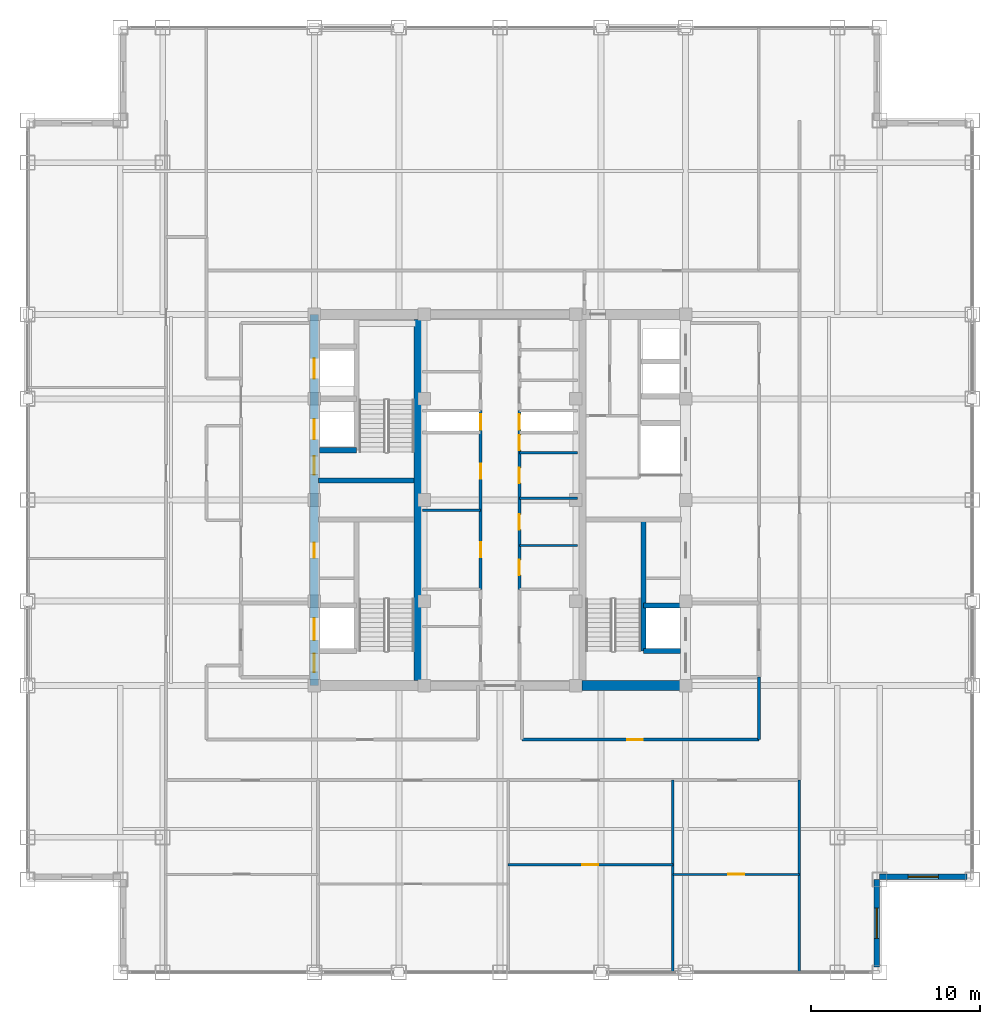
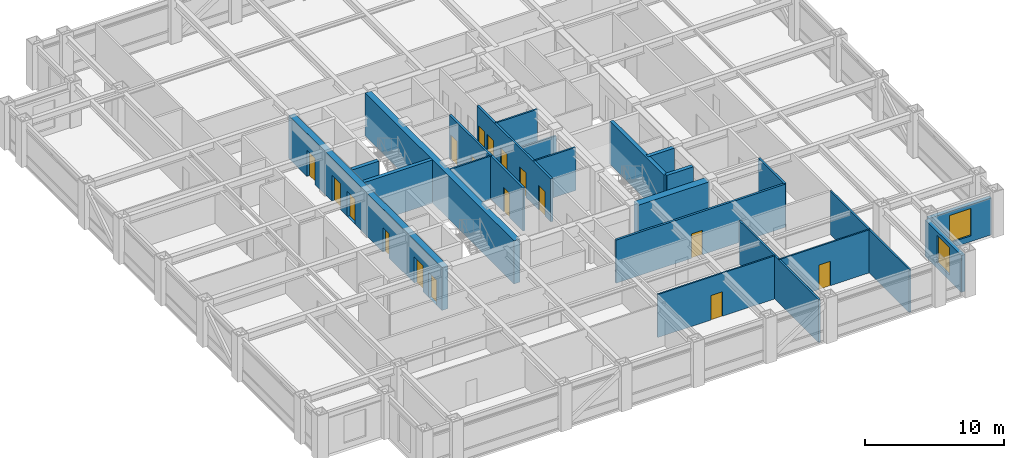
# One storey, part 19 of 22: 22 walls, 17 doors, 2 windows, 19 openings.
"""IFC4 building model written with IfcOpenShell, lengths in metres."""

from ifc_helpers import new_model, si_unit, direction, frame, frame_2d, origin, place, context, subcontext, project, spatial, rectangle, extrude, source, transform, mapped, material, layer, layer_set, type_object, element, fill, save


model = new_model("IFC4")

# Units and contexts
model_context = context("Model", 3, precision=1e-05, world=origin(), true_north=direction((0.0, 1.0)))
body_context = subcontext(model_context, "Body", "Model", "MODEL_VIEW")
ifc_project = project(units=[si_unit("LENGTHUNIT", "METRE"), si_unit("AREAUNIT", "SQUARE_METRE"), si_unit("VOLUMEUNIT", "CUBIC_METRE"), si_unit("PLANEANGLEUNIT", "RADIAN"), si_unit("MASSUNIT", "GRAM", prefix="KILO")], contexts=[model_context])

# Site, building, storey
site_placement = place(None, origin())
site = spatial("IfcSite", under=ifc_project, at=site_placement, CompositionType="ELEMENT")
building_placement = place(site_placement, origin())
building = spatial("IfcBuilding", under=site, at=building_placement, Name="Khorayat Bourse Tower", CompositionType="ELEMENT")
storey_placement = place(building_placement, frame((0.0, 0.0, 289.5)))
storey = spatial("IfcBuildingStorey", under=building, at=storey_placement, Name="L68", CompositionType="ELEMENT", Elevation=289.5)

# Wall, openings, doors
ifc_material_1 = material(Name="Concrete C52/65", Category="concrete")
ifc_layer_1 = layer(ifc_material_1, 0.5)
ifc_layer_set_1 = layer_set([ifc_layer_1], Name="Concrete C52/65")
wall_type_1 = type_object("IfcWallType", Name="WAL-CORE-500", PredefinedType="SHEAR", material=ifc_layer_set_1)
shared_shape_1 = source(origin(), body_context, "Body", "SweptSolid", [
    extrude(rectangle(XDim=22.0, YDim=0.5, at=frame_2d((11.0, 0.0))), origin(), (0.0, 0.0, 1.0), 3.780029296875),
])
wall_1_placement = place(storey_placement, frame((-11.0, -11.0, 0.0), z_axis=(0.0, 0.0, 1.0), x_axis=(0.0, 1.0, 0.0)))
wall_1 = element("IfcWall", 1, at=wall_1_placement, inside=storey, type_object=wall_type_1, Name="L68 Core Shear Wall CORE-W", PredefinedType="SHEAR", context=body_context, shape_type="MappedRepresentation", body=[
    mapped(shared_shape_1, transform((0.0, 0.0, 0.0), scale=1.0)),
])
shared_shape_2 = source(origin(), body_context, "Body", "SweptSolid", [
    extrude(rectangle(XDim=1.10009765625, YDim=2.199951171875, at=frame_2d((0.550048828125, 1.10009765625))), frame((0.0, 0.260009765625, 0.0), z_axis=(0.0, -1.0, 0.0), x_axis=(1.0, 0.0, 0.0)), (0.0, 0.0, 1.0), 0.52001953125),
])
opening_1_placement = place(wall_1_placement, frame((0.800048828125, 0.0, 0.0)))
opening_1 = element("IfcOpeningElement", 2, at=opening_1_placement, cuts=wall_1, Name="Opening DI-01", PredefinedType="OPENING", context=body_context, shape_type="MappedRepresentation", body=[
    mapped(shared_shape_2, transform((0.0, 0.0, 0.0), scale=1.0)),
])
opening_2_placement = place(wall_1_placement, frame((12.5, 0.0, 0.0)))
opening_2 = element("IfcOpeningElement", 3, at=opening_2_placement, cuts=wall_1, Name="Opening DI-01", PredefinedType="OPENING", context=body_context, shape_type="MappedRepresentation", body=[
    mapped(shared_shape_2, transform((0.0, 0.0, 0.0), scale=1.0)),
])
shared_shape_3 = source(origin(), body_context, "Body", "SweptSolid", [
    extrude(rectangle(XDim=0.89990234375, YDim=2.14990234375, at=frame_2d((0.449951171875, 1.074951171875))), frame((0.0, 0.260009765625, 0.0), z_axis=(0.0, -1.0, 0.0), x_axis=(1.0, 0.0, 0.0)), (0.0, 0.0, 1.0), 0.52001953125),
])
opening_3_placement = place(wall_1_placement, frame((7.574951171875, 0.0, 0.0)))
opening_3 = element("IfcOpeningElement", 4, at=opening_3_placement, cuts=wall_1, Name="Opening DI-06", PredefinedType="OPENING", context=body_context, shape_type="MappedRepresentation", body=[
    mapped(shared_shape_3, transform((0.0, 0.0, 0.0), scale=1.0)),
])
shared_shape_4 = source(origin(), body_context, "Body", "SweptSolid", [
    extrude(rectangle(XDim=1.199951171875, YDim=2.300048828125, at=frame_2d((0.60009765625, 1.14990234375))), frame((0.0, 0.260009765625, 0.0), z_axis=(0.0, -1.0, 0.0), x_axis=(1.0, 0.0, 0.0)), (0.0, 0.0, 1.0), 0.52001953125),
])
opening_4_placement = place(wall_1_placement, frame((14.60009765625, 0.0, 0.0)))
opening_4 = element("IfcOpeningElement", 5, at=opening_4_placement, cuts=wall_1, Name="Opening LD-01", PredefinedType="OPENING", context=body_context, shape_type="MappedRepresentation", body=[
    mapped(shared_shape_4, transform((0.0, 0.0, 0.0), scale=1.0)),
])
opening_5_placement = place(wall_1_placement, frame((18.199951171875, 0.0, 0.0)))
opening_5 = element("IfcOpeningElement", 6, at=opening_5_placement, cuts=wall_1, Name="Opening LD-01", PredefinedType="OPENING", context=body_context, shape_type="MappedRepresentation", body=[
    mapped(shared_shape_4, transform((0.0, 0.0, 0.0), scale=1.0)),
])
shared_shape_5 = source(origin(), body_context, "Body", "SweptSolid", [
    extrude(rectangle(XDim=1.300048828125, YDim=2.300048828125, at=frame_2d((0.64990234375, 1.14990234375))), frame((0.0, 0.260009765625, 0.0), z_axis=(0.0, -1.0, 0.0), x_axis=(1.0, 0.0, 0.0)), (0.0, 0.0, 1.0), 0.52001953125),
])
opening_6_placement = place(wall_1_placement, frame((2.699951171875, 0.0, 0.0)))
opening_6 = element("IfcOpeningElement", 7, at=opening_6_placement, cuts=wall_1, Name="Opening LD-02", PredefinedType="OPENING", context=body_context, shape_type="MappedRepresentation", body=[
    mapped(shared_shape_5, transform((0.0, 0.0, 0.0), scale=1.0)),
])
ifc_material_2 = material(Name="Fire-rated steel acoustic leaf", Category="steel")
door_type_1 = type_object("IfcDoorType", Name="DR-INT-STAIR-1100", OperationType="NOTDEFINED", PredefinedType="DOOR", material=ifc_material_2)
shared_shape_6 = source(origin(), body_context, "Body", "SweptSolid", [
    extrude(rectangle(XDim=1.10009765625, YDim=2.199951171875, at=frame_2d((0.550048828125, 1.10009765625))), frame((0.0, 0.02490234375, 0.0), z_axis=(0.0, -1.0, 0.0), x_axis=(1.0, 0.0, 0.0)), (0.0, 0.0, 1.0), 0.050048828125),
])
door_1_placement = place(opening_1_placement, origin())
door_1 = element("IfcDoor", 8, at=door_1_placement, inside=storey, type_object=door_type_1, Name="L68 Exit Stair 1 Door", OperationType="SINGLE_SWING_RIGHT", OverallHeight=2.199951171875, OverallWidth=1.10009765625, PredefinedType="DOOR", context=body_context, shape_type="MappedRepresentation", body=[
    mapped(shared_shape_6, transform((0.0, 0.0, 0.0), scale=1.0)),
])
fill(opening_1, door_1)
door_2_placement = place(opening_2_placement, origin())
door_2 = element("IfcDoor", 9, at=door_2_placement, inside=storey, type_object=door_type_1, Name="L68 Exit Stair 2 Door", OperationType="SINGLE_SWING_RIGHT", OverallHeight=2.199951171875, OverallWidth=1.10009765625, PredefinedType="DOOR", context=body_context, shape_type="MappedRepresentation", body=[
    mapped(shared_shape_6, transform((0.0, 0.0, 0.0), scale=1.0)),
])
fill(opening_2, door_2)
ifc_material_3 = material(Name="Moisture-resistant laminate washroom door")
door_type_2 = type_object("IfcDoorType", Name="DR-INT-WC-900", OperationType="NOTDEFINED", PredefinedType="DOOR", material=ifc_material_3)
shared_shape_7 = source(origin(), body_context, "Body", "SweptSolid", [
    extrude(rectangle(XDim=0.89990234375, YDim=2.14990234375, at=frame_2d((0.449951171875, 1.074951171875))), frame((0.0, 0.02490234375, 0.0), z_axis=(0.0, -1.0, 0.0), x_axis=(1.0, 0.0, 0.0)), (0.0, 0.0, 1.0), 0.050048828125),
])
door_3_placement = place(opening_3_placement, origin())
door_3 = element("IfcDoor", 10, at=door_3_placement, inside=storey, type_object=door_type_2, Name="L68 UPS Switch Plant Room Door", OperationType="SINGLE_SWING_RIGHT", OverallHeight=2.14990234375, OverallWidth=0.89990234375, PredefinedType="DOOR", context=body_context, shape_type="MappedRepresentation", body=[
    mapped(shared_shape_7, transform((0.0, 0.0, 0.0), scale=1.0)),
])
fill(opening_3, door_3)
ifc_material_4 = material(Name="Brushed bronze stainless-steel sliding door", Category="steel")
door_type_3 = type_object("IfcDoorType", Name="DR-LIFT-PASS-1200", OperationType="NOTDEFINED", PredefinedType="DOOR", material=ifc_material_4)
shared_shape_8 = source(origin(), body_context, "Body", "SweptSolid", [
    extrude(rectangle(XDim=1.199951171875, YDim=2.300048828125, at=frame_2d((0.60009765625, 1.14990234375))), frame((0.0, 0.02490234375, 0.0), z_axis=(0.0, -1.0, 0.0), x_axis=(1.0, 0.0, 0.0)), (0.0, 0.0, 1.0), 0.050048828125),
])
door_4_placement = place(opening_4_placement, origin())
door_4 = element("IfcDoor", 11, at=door_4_placement, inside=storey, type_object=door_type_3, Name="L68 Lift PL-H1 Sliding Landing Door", OperationType="SLIDING_TO_LEFT", OverallHeight=2.300048828125, OverallWidth=1.199951171875, PredefinedType="DOOR", context=body_context, shape_type="MappedRepresentation", body=[
    mapped(shared_shape_8, transform((0.0, 0.0, 0.0), scale=1.0)),
])
fill(opening_4, door_4)
door_5_placement = place(opening_5_placement, origin())
door_5 = element("IfcDoor", 12, at=door_5_placement, inside=storey, type_object=door_type_3, Name="L68 Lift PL-H2 Sliding Landing Door", OperationType="SLIDING_TO_LEFT", OverallHeight=2.300048828125, OverallWidth=1.199951171875, PredefinedType="DOOR", context=body_context, shape_type="MappedRepresentation", body=[
    mapped(shared_shape_8, transform((0.0, 0.0, 0.0), scale=1.0)),
])
fill(opening_5, door_5)
ifc_material_5 = material(Name="Fire-rated stainless-steel sliding landing door", Category="steel")
door_type_4 = type_object("IfcDoorType", Name="DR-LIFT-FF-1300", OperationType="NOTDEFINED", PredefinedType="DOOR", material=ifc_material_5)
shared_shape_9 = source(origin(), body_context, "Body", "SweptSolid", [
    extrude(rectangle(XDim=1.300048828125, YDim=2.300048828125, at=frame_2d((0.64990234375, 1.14990234375))), frame((0.0, 0.02490234375, 0.0), z_axis=(0.0, -1.0, 0.0), x_axis=(1.0, 0.0, 0.0)), (0.0, 0.0, 1.0), 0.050048828125),
])
door_6_placement = place(opening_6_placement, origin())
door_6 = element("IfcDoor", 13, at=door_6_placement, inside=storey, type_object=door_type_4, Name="L68 Lift FFL-01 Sliding Landing Door", OperationType="SLIDING_TO_LEFT", OverallHeight=2.300048828125, OverallWidth=1.300048828125, PredefinedType="DOOR", context=body_context, shape_type="MappedRepresentation", body=[
    mapped(shared_shape_9, transform((0.0, 0.0, 0.0), scale=1.0)),
])
fill(opening_6, door_6)

# Walls
shared_shape_10 = source(origin(), body_context, "Body", "SweptSolid", [
    extrude(rectangle(XDim=21.39990234375, YDim=0.5, at=frame_2d((10.699951171875, 0.0))), origin(), (0.0, 0.0, 1.0), 3.780029296875),
])
wall_2_placement = place(storey_placement, frame((-4.85009765625, -10.699951171875, 0.0), z_axis=(0.0, 0.0, 1.0), x_axis=(0.0, 1.0, 0.0)))
element("IfcWall", 14, at=wall_2_placement, inside=storey, type_object=wall_type_1, Name="L68 Core Shear Wall PIER-W", PredefinedType="SHEAR", context=body_context, shape_type="MappedRepresentation", body=[
    mapped(shared_shape_10, transform((0.0, 0.0, 0.0), scale=1.0)),
])
ifc_material_6 = material(Name="Concrete C60/75", Category="concrete")
ifc_layer_2 = layer(ifc_material_6, 0.60009765625)
ifc_layer_set_2 = layer_set([ifc_layer_2], Name="Concrete C60/75")
wall_type_2 = type_object("IfcWallType", Name="WAL-CORE-600", PredefinedType="SHEAR", material=ifc_layer_set_2)
shared_shape_11 = source(origin(), body_context, "Body", "SweptSolid", [
    extrude(rectangle(XDim=5.89990234375, YDim=0.60009765625, at=frame_2d((2.949951171875, 0.0))), origin(), (0.0, 0.0, 1.0), 3.780029296875),
])
wall_3_placement = place(storey_placement, frame((4.85009765625, -11.0, 0.0), z_axis=(0.0, 0.0, 1.0), x_axis=(1.0, 0.0, 0.0)))
element("IfcWall", 15, at=wall_3_placement, inside=storey, type_object=wall_type_2, Name="L68 Core Shear Wall PIER-ES", PredefinedType="SHEAR", context=body_context, shape_type="MappedRepresentation", body=[
    mapped(shared_shape_11, transform((0.0, 0.0, 0.0), scale=1.0)),
])
ifc_material_7 = material(Name="Concrete C50/60", Category="concrete")
ifc_layer_3 = layer(ifc_material_7, 0.300048828125)
ifc_layer_set_3 = layer_set([ifc_layer_3], Name="Concrete C50/60")
wall_type_3 = type_object("IfcWallType", Name="WAL-SHAFT-300", PredefinedType="SHEAR", material=ifc_layer_set_3)
shared_shape_12 = source(origin(), body_context, "Body", "SweptSolid", [
    extrude(rectangle(XDim=5.64990234375, YDim=0.300048828125, at=frame_2d((2.824951171875, 0.0))), origin(), (0.0, 0.0, 1.0), 3.780029296875),
])
wall_4_placement = place(storey_placement, frame((-10.75, 1.14990234375, 0.0), z_axis=(0.0, 0.0, 1.0), x_axis=(1.0, 0.0, 0.0)))
element("IfcWall", 16, at=wall_4_placement, inside=storey, type_object=wall_type_3, Name="L68 Core Shear Wall ST2-DIV", PredefinedType="SHEAR", context=body_context, shape_type="MappedRepresentation", body=[
    mapped(shared_shape_12, transform((0.0, 0.0, 0.0), scale=1.0)),
])

# Wall, opening, window
ifc_material_8 = material(Name="Precast concrete C45/55", Category="concrete")
ifc_layer_4 = layer(ifc_material_8, 0.320068359375)
ifc_layer_set_4 = layer_set([ifc_layer_4], Name="Precast concrete C45/55")
wall_type_4 = type_object("IfcWallType", Name="WAL-EXT-STONE-320", PredefinedType="STANDARD", material=ifc_layer_set_4)
shared_shape_13 = source(origin(), body_context, "Body", "SweptSolid", [
    extrude(rectangle(XDim=5.179931640625, YDim=0.320068359375, at=frame_2d((2.58984375, 0.0))), origin(), (0.0, 0.0, 1.0), 3.23095703125),
])
wall_5_placement = place(storey_placement, frame((22.340087890625, -27.679931640625, 0.0), z_axis=(0.0, 0.0, 1.0), x_axis=(0.0, 1.0, 0.0)))
wall_5 = element("IfcWall", 17, at=wall_5_placement, inside=storey, type_object=wall_type_4, Name="L68 Re-Entrant Notch Limestone Wall SE-V", PredefinedType="STANDARD", context=body_context, shape_type="MappedRepresentation", body=[
    mapped(shared_shape_13, transform((0.0, 0.0, 0.0), scale=1.0)),
])
shared_shape_14 = source(origin(), body_context, "Body", "SweptSolid", [
    extrude(rectangle(XDim=1.800048828125, YDim=2.39990234375, at=frame_2d((0.89990234375, 1.199951171875))), frame((0.0, 0.169921875, 0.0), z_axis=(0.0, -1.0, 0.0), x_axis=(1.0, 0.0, 0.0)), (0.0, 0.0, 1.0), 0.340087890625),
])
opening_7_placement = place(wall_5_placement, frame((1.68994140625, 0.0, 0.5)))
opening_7 = element("IfcOpeningElement", 18, at=opening_7_placement, cuts=wall_5, Name="Opening WN-04", PredefinedType="OPENING", context=body_context, shape_type="MappedRepresentation", body=[
    mapped(shared_shape_14, transform((0.0, 0.0, 0.0), scale=1.0)),
])
ifc_material_9 = material(Name="Low-E acoustic laminated double glazing", Category="glass")
window_type = type_object("IfcWindowType", Name="WIN-NOTCH-1800x2400", PartitioningType="SINGLE_PANEL", PredefinedType="WINDOW", material=ifc_material_9)
shared_shape_15 = source(origin(), body_context, "Body", "SweptSolid", [
    extrude(rectangle(XDim=1.800048828125, YDim=2.39990234375, at=frame_2d((0.89990234375, 1.199951171875))), frame((0.0, 0.030029296875, 0.0), z_axis=(0.0, -1.0, 0.0), x_axis=(1.0, 0.0, 0.0)), (0.0, 0.0, 1.0), 0.06005859375),
])
window_1_placement = place(opening_7_placement, origin())
window_1 = element("IfcWindow", 19, at=window_1_placement, inside=storey, type_object=window_type, Name="L68 Facade Window 1", OverallHeight=2.39990234375, OverallWidth=1.800048828125, PartitioningType="SINGLE_PANEL", PredefinedType="WINDOW", context=body_context, shape_type="MappedRepresentation", body=[
    mapped(shared_shape_15, transform((0.0, 0.0, 0.0), scale=1.0)),
])
fill(opening_7, window_1)

wall_6_placement = place(storey_placement, frame((22.5, -22.340087890625, 0.0), z_axis=(0.0, 0.0, 1.0), x_axis=(1.0, 0.0, 0.0)))
wall_6 = element("IfcWall", 20, at=wall_6_placement, inside=storey, type_object=wall_type_4, Name="L68 Re-Entrant Notch Limestone Wall SE-H", PredefinedType="STANDARD", context=body_context, shape_type="MappedRepresentation", body=[
    mapped(shared_shape_13, transform((0.0, 0.0, 0.0), scale=1.0)),
])
opening_8_placement = place(wall_6_placement, frame((1.68994140625, 0.0, 0.5)))
opening_8 = element("IfcOpeningElement", 21, at=opening_8_placement, cuts=wall_6, Name="Opening WN-04", PredefinedType="OPENING", context=body_context, shape_type="MappedRepresentation", body=[
    mapped(shared_shape_14, transform((0.0, 0.0, 0.0), scale=1.0)),
])
window_2_placement = place(opening_8_placement, origin())
window_2 = element("IfcWindow", 22, at=window_2_placement, inside=storey, type_object=window_type, Name="L68 Facade Window 1", OverallHeight=2.39990234375, OverallWidth=1.800048828125, PartitioningType="SINGLE_PANEL", PredefinedType="WINDOW", context=body_context, shape_type="MappedRepresentation", body=[
    mapped(shared_shape_15, transform((0.0, 0.0, 0.0), scale=1.0)),
])
fill(opening_8, window_2)

# Walls
ifc_material_10 = material(Name="Moisture-resistant masonry partition", Category="masonry")
ifc_layer_5 = layer(ifc_material_10, 0.139892578125)
ifc_layer_set_5 = layer_set([ifc_layer_5], Name="Moisture-resistant masonry partition")
wall_type_5 = type_object("IfcWallType", Name="WAL-PART-WET-140", PredefinedType="PARTITIONING", material=ifc_layer_set_5)
shared_shape_16 = source(origin(), body_context, "Body", "SweptSolid", [
    extrude(rectangle(XDim=3.4501953125, YDim=0.139892578125, at=frame_2d((1.72509765625, 0.0))), origin(), (0.0, 0.0, 1.0), 3.0849609375),
])
wall_7_placement = place(storey_placement, frame((1.14990234375, 0.10009765625, 0.0), z_axis=(0.0, 0.0, 1.0), x_axis=(1.0, 0.0, 0.0)))
element("IfcWall", 23, at=wall_7_placement, inside=storey, type_object=wall_type_5, Name="L68 Partition WAL-L68-CME-D2", PredefinedType="PARTITIONING", context=body_context, shape_type="MappedRepresentation", body=[
    mapped(shared_shape_16, transform((0.0, 0.0, 0.0), scale=1.0)),
])
shared_shape_17 = source(origin(), body_context, "Body", "SweptSolid", [
    extrude(rectangle(XDim=7.800048828125, YDim=0.300048828125, at=frame_2d((3.89990234375, 0.0))), origin(), (0.0, 0.0, 1.0), 3.780029296875),
])
wall_8_placement = place(storey_placement, frame((8.5, -8.949951171875, 0.0), z_axis=(0.0, 0.0, 1.0), x_axis=(0.0, 1.0, 0.0)))
element("IfcWall", 24, at=wall_8_placement, inside=storey, type_object=wall_type_3, Name="L68 Partition WAL-L68-EPIER-SP", PredefinedType="SHEAR", context=body_context, shape_type="MappedRepresentation", body=[
    mapped(shared_shape_17, transform((0.0, 0.0, 0.0), scale=1.0)),
])
shared_shape_18 = source(origin(), body_context, "Body", "SweptSolid", [
    extrude(rectangle(XDim=2.199951171875, YDim=0.300048828125, at=frame_2d((1.10009765625, 0.0))), origin(), (0.0, 0.0, 1.0), 3.780029296875),
])
for number, where, z_axis, x_axis, name in (
    (25, (-10.699951171875, 2.949951171875, 0.0), (0.0, 0.0, 1.0), (1.0, 0.0, 0.0), "L68 Partition WAL-L68-WPIER-H1S"),
    (26, (8.5, -8.949951171875, 0.0), (0.0, 0.0, 1.0), (1.0, 0.0, 0.0), "L68 Partition WAL-L68-EPIER-FF2S"),
    (27, (8.5, -6.25, 0.0), (0.0, 0.0, 1.0), (1.0, 0.0, 0.0), "L68 Partition WAL-L68-EPIER-FF2N"),
):
    element("IfcWall", number, at=place(storey_placement, frame(where, z_axis=z_axis, x_axis=x_axis)), inside=storey, type_object=wall_type_3, Name=name, PredefinedType="SHEAR", context=body_context, shape_type="MappedRepresentation", body=[
        mapped(shared_shape_18, transform((0.0, 0.0, 0.0), scale=1.0)),
    ])
shared_shape_19 = source(origin(), body_context, "Body", "SweptSolid", [
    extrude(rectangle(XDim=3.4501953125, YDim=0.139892578125, at=frame_2d((1.72509765625, 0.0))), origin(), (0.0, 0.0, 1.0), 3.780029296875),
])
for number, where, z_axis, x_axis, name in (
    (28, (-4.60009765625, -0.60009765625, 0.0), (0.0, 0.0, 1.0), (1.0, 0.0, 0.0), "L68 Partition WAL-L68-CMW-D1"),
    (29, (1.14990234375, -2.699951171875, 0.0), (0.0, 0.0, 1.0), (1.0, 0.0, 0.0), "L68 Partition WAL-L68-CME-D1"),
    (30, (1.14990234375, 2.800048828125, 0.0), (0.0, 0.0, 1.0), (1.0, 0.0, 0.0), "L68 Partition WAL-L68-CME-D3"),
):
    element("IfcWall", number, at=place(storey_placement, frame(where, z_axis=z_axis, x_axis=x_axis)), inside=storey, type_object=wall_type_5, Name=name, PredefinedType="PARTITIONING", context=body_context, shape_type="MappedRepresentation", body=[
        mapped(shared_shape_19, transform((0.0, 0.0, 0.0), scale=1.0)),
    ])

# Wall, openings, doors
ifc_material_11 = material(Name="Gypsum plasterboard acoustic stud wall")
ifc_layer_6 = layer(ifc_material_11, 0.179931640625)
ifc_layer_set_6 = layer_set([ifc_layer_6], Name="Gypsum plasterboard acoustic stud wall")
wall_type_6 = type_object("IfcWallType", Name="WAL-PART-CORR-180", PredefinedType="PARTITIONING", material=ifc_layer_set_6)
shared_shape_20 = source(origin(), body_context, "Body", "SweptSolid", [
    extrude(rectangle(XDim=10.60009765625, YDim=0.179931640625, at=frame_2d((5.300048828125, 0.0))), origin(), (0.0, 0.0, 1.0), 3.780029296875),
])
wall_9_placement = place(storey_placement, frame((-1.14990234375, -5.300048828125, 0.0), z_axis=(0.0, 0.0, 1.0), x_axis=(0.0, 1.0, 0.0)))
wall_9 = element("IfcWall", 31, at=wall_9_placement, inside=storey, type_object=wall_type_6, Name="L68 Partition WAL-L68-CMW-L", PredefinedType="PARTITIONING", context=body_context, shape_type="MappedRepresentation", body=[
    mapped(shared_shape_20, transform((0.0, 0.0, 0.0), scale=1.0)),
])
shared_shape_21 = source(origin(), body_context, "Body", "SweptSolid", [
    extrude(rectangle(XDim=0.89990234375, YDim=2.14990234375, at=frame_2d((0.449951171875, 1.074951171875))), frame((0.0, 0.099853515625, 0.0), z_axis=(0.0, -1.0, 0.0), x_axis=(1.0, 0.0, 0.0)), (0.0, 0.0, 1.0), 0.199951171875),
])
opening_9_placement = place(wall_9_placement, frame((1.89990234375, 0.0, 0.0)))
opening_9 = element("IfcOpeningElement", 32, at=opening_9_placement, cuts=wall_9, Name="Opening DI-06", PredefinedType="OPENING", context=body_context, shape_type="MappedRepresentation", body=[
    mapped(shared_shape_21, transform((0.0, 0.0, 0.0), scale=1.0)),
])
opening_10_placement = place(wall_9_placement, frame((6.550048828125, 0.0, 0.0)))
opening_10 = element("IfcOpeningElement", 33, at=opening_10_placement, cuts=wall_9, Name="Opening DI-06", PredefinedType="OPENING", context=body_context, shape_type="MappedRepresentation", body=[
    mapped(shared_shape_21, transform((0.0, 0.0, 0.0), scale=1.0)),
])
opening_11_placement = place(wall_9_placement, frame((9.47509765625, 0.0, 0.0)))
opening_11 = element("IfcOpeningElement", 34, at=opening_11_placement, cuts=wall_9, Name="Opening DI-06", PredefinedType="OPENING", context=body_context, shape_type="MappedRepresentation", body=[
    mapped(shared_shape_21, transform((0.0, 0.0, 0.0), scale=1.0)),
])
door_7_placement = place(opening_9_placement, origin())
door_7 = element("IfcDoor", 35, at=door_7_placement, inside=storey, type_object=door_type_2, Name="L68 Male Core Washroom Door", OperationType="SINGLE_SWING_RIGHT", OverallHeight=2.14990234375, OverallWidth=0.89990234375, PredefinedType="DOOR", context=body_context, shape_type="MappedRepresentation", body=[
    mapped(shared_shape_7, transform((0.0, 0.0, 0.0), scale=1.0)),
])
fill(opening_9, door_7)
door_8_placement = place(opening_10_placement, origin())
door_8 = element("IfcDoor", 36, at=door_8_placement, inside=storey, type_object=door_type_2, Name="L68 Chilled Water Riser Plant Room Door", OperationType="SINGLE_SWING_LEFT", OverallHeight=2.14990234375, OverallWidth=0.89990234375, PredefinedType="DOOR", context=body_context, shape_type="MappedRepresentation", body=[
    mapped(shared_shape_7, transform((0.0, 0.0, 0.0), scale=1.0)),
])
fill(opening_10, door_8)
door_9_placement = place(opening_11_placement, origin())
door_9 = element("IfcDoor", 37, at=door_9_placement, inside=storey, type_object=door_type_2, Name="L68 West Core Riser Door", OperationType="SINGLE_SWING_LEFT", OverallHeight=2.14990234375, OverallWidth=0.89990234375, PredefinedType="DOOR", context=body_context, shape_type="MappedRepresentation", body=[
    mapped(shared_shape_7, transform((0.0, 0.0, 0.0), scale=1.0)),
])
fill(opening_11, door_9)

wall_10_placement = place(storey_placement, frame((1.14990234375, -5.300048828125, 0.0), z_axis=(0.0, 0.0, 1.0), x_axis=(0.0, 1.0, 0.0)))
wall_10 = element("IfcWall", 38, at=wall_10_placement, inside=storey, type_object=wall_type_6, Name="L68 Partition WAL-L68-CME-L", PredefinedType="PARTITIONING", context=body_context, shape_type="MappedRepresentation", body=[
    mapped(shared_shape_20, transform((0.0, 0.0, 0.0), scale=1.0)),
])
opening_12_placement = place(wall_10_placement, frame((0.85009765625, 0.0, 0.0)))
opening_12 = element("IfcOpeningElement", 39, at=opening_12_placement, cuts=wall_10, Name="Opening DI-06", PredefinedType="OPENING", context=body_context, shape_type="MappedRepresentation", body=[
    mapped(shared_shape_21, transform((0.0, 0.0, 0.0), scale=1.0)),
])
opening_13_placement = place(wall_10_placement, frame((3.550048828125, 0.0, 0.0)))
opening_13 = element("IfcOpeningElement", 40, at=opening_13_placement, cuts=wall_10, Name="Opening DI-06", PredefinedType="OPENING", context=body_context, shape_type="MappedRepresentation", body=[
    mapped(shared_shape_21, transform((0.0, 0.0, 0.0), scale=1.0)),
])
opening_14_placement = place(wall_10_placement, frame((6.300048828125, 0.0, 0.0)))
opening_14 = element("IfcOpeningElement", 41, at=opening_14_placement, cuts=wall_10, Name="Opening DI-06", PredefinedType="OPENING", context=body_context, shape_type="MappedRepresentation", body=[
    mapped(shared_shape_21, transform((0.0, 0.0, 0.0), scale=1.0)),
])
opening_15_placement = place(wall_10_placement, frame((8.25, 0.0, 0.0)))
opening_15 = element("IfcOpeningElement", 42, at=opening_15_placement, cuts=wall_10, Name="Opening DI-06", PredefinedType="OPENING", context=body_context, shape_type="MappedRepresentation", body=[
    mapped(shared_shape_21, transform((0.0, 0.0, 0.0), scale=1.0)),
])
opening_16_placement = place(wall_10_placement, frame((9.47509765625, 0.0, 0.0)))
opening_16 = element("IfcOpeningElement", 43, at=opening_16_placement, cuts=wall_10, Name="Opening DI-06", PredefinedType="OPENING", context=body_context, shape_type="MappedRepresentation", body=[
    mapped(shared_shape_21, transform((0.0, 0.0, 0.0), scale=1.0)),
])
door_10_placement = place(opening_12_placement, origin())
door_10 = element("IfcDoor", 44, at=door_10_placement, inside=storey, type_object=door_type_2, Name="L68 Female Core Washroom Door", OperationType="SINGLE_SWING_RIGHT", OverallHeight=2.14990234375, OverallWidth=0.89990234375, PredefinedType="DOOR", context=body_context, shape_type="MappedRepresentation", body=[
    mapped(shared_shape_7, transform((0.0, 0.0, 0.0), scale=1.0)),
])
fill(opening_12, door_10)
door_11_placement = place(opening_13_placement, origin())
door_11 = element("IfcDoor", 45, at=door_11_placement, inside=storey, type_object=door_type_2, Name="L68 Comms Patch Room Door", OperationType="SINGLE_SWING_LEFT", OverallHeight=2.14990234375, OverallWidth=0.89990234375, PredefinedType="DOOR", context=body_context, shape_type="MappedRepresentation", body=[
    mapped(shared_shape_7, transform((0.0, 0.0, 0.0), scale=1.0)),
])
fill(opening_13, door_11)
door_12_placement = place(opening_14_placement, origin())
door_12 = element("IfcDoor", 46, at=door_12_placement, inside=storey, type_object=door_type_2, Name="L68 Janitor Cupboard Door", OperationType="SINGLE_SWING_RIGHT", OverallHeight=2.14990234375, OverallWidth=0.89990234375, PredefinedType="DOOR", context=body_context, shape_type="MappedRepresentation", body=[
    mapped(shared_shape_7, transform((0.0, 0.0, 0.0), scale=1.0)),
])
fill(opening_14, door_12)
door_13_placement = place(opening_15_placement, origin())
door_13 = element("IfcDoor", 47, at=door_13_placement, inside=storey, type_object=door_type_2, Name="L68 Fire Valve Plant Room Door", OperationType="SINGLE_SWING_LEFT", OverallHeight=2.14990234375, OverallWidth=0.89990234375, PredefinedType="DOOR", context=body_context, shape_type="MappedRepresentation", body=[
    mapped(shared_shape_7, transform((0.0, 0.0, 0.0), scale=1.0)),
])
fill(opening_15, door_13)
door_14_placement = place(opening_16_placement, origin())
door_14 = element("IfcDoor", 48, at=door_14_placement, inside=storey, type_object=door_type_2, Name="L68 East Core Riser Door", OperationType="SINGLE_SWING_RIGHT", OverallHeight=2.14990234375, OverallWidth=0.89990234375, PredefinedType="DOOR", context=body_context, shape_type="MappedRepresentation", body=[
    mapped(shared_shape_7, transform((0.0, 0.0, 0.0), scale=1.0)),
])
fill(opening_16, door_14)

# Wall, opening, door
shared_shape_22 = source(origin(), body_context, "Body", "SweptSolid", [
    extrude(rectangle(XDim=14.050048828125, YDim=0.179931640625, at=frame_2d((7.02490234375, 0.0))), origin(), (0.0, 0.0, 1.0), 3.780029296875),
])
wall_11_placement = place(storey_placement, frame((1.300048828125, -14.199951171875, 0.0), z_axis=(0.0, 0.0, 1.0), x_axis=(1.0, 0.0, 0.0)))
wall_11 = element("IfcWall", 49, at=wall_11_placement, inside=storey, type_object=wall_type_6, Name="L68 Partition WAL-L68-PKSE-S", PredefinedType="PARTITIONING", context=body_context, shape_type="MappedRepresentation", body=[
    mapped(shared_shape_22, transform((0.0, 0.0, 0.0), scale=1.0)),
])
opening_17_placement = place(wall_11_placement, frame((6.25, 0.0, 0.0)))
opening_17 = element("IfcOpeningElement", 50, at=opening_17_placement, cuts=wall_11, Name="Opening DI-06", PredefinedType="OPENING", context=body_context, shape_type="MappedRepresentation", body=[
    mapped(shared_shape_21, transform((0.0, 0.0, 0.0), scale=1.0)),
])
door_15_placement = place(opening_17_placement, origin())
door_15 = element("IfcDoor", 51, at=door_15_placement, inside=storey, type_object=door_type_2, Name="L68 SE Inboard Study Door", OperationType="SINGLE_SWING_RIGHT", OverallHeight=2.14990234375, OverallWidth=0.89990234375, PredefinedType="DOOR", context=body_context, shape_type="MappedRepresentation", body=[
    mapped(shared_shape_7, transform((0.0, 0.0, 0.0), scale=1.0)),
])
fill(opening_17, door_15)

ifc_material_12 = material(Name="Gypsum plasterboard partition")
ifc_layer_7 = layer(ifc_material_12, 0.125)
ifc_layer_set_7 = layer_set([ifc_layer_7], Name="Gypsum plasterboard partition")
wall_type_7 = type_object("IfcWallType", Name="WAL-PART-ROOM-125", PredefinedType="PARTITIONING", material=ifc_layer_set_7)
shared_shape_23 = source(origin(), body_context, "Body", "SweptSolid", [
    extrude(rectangle(XDim=9.762939453125, YDim=0.125, at=frame_2d((4.88134765625, 0.0))), origin(), (0.0, 0.0, 1.0), 3.780029296875),
])
wall_12_placement = place(storey_placement, frame((0.47705078125, -21.615966796875, 0.0), z_axis=(0.0, 0.0, 1.0), x_axis=(1.0, 0.0, 0.0)))
wall_12 = element("IfcWall", 52, at=wall_12_placement, inside=storey, type_object=wall_type_7, Name="L68 Partition WAL-L68-SDP-3", PredefinedType="PARTITIONING", context=body_context, shape_type="MappedRepresentation", body=[
    mapped(shared_shape_23, transform((0.0, 0.0, 0.0), scale=1.0)),
])
shared_shape_24 = source(origin(), body_context, "Body", "SweptSolid", [
    extrude(rectangle(XDim=0.949951171875, YDim=2.14990234375, at=frame_2d((0.47509765625, 1.074951171875))), frame((0.0, 0.072509765625, 0.0), z_axis=(0.0, -1.0, 0.0), x_axis=(1.0, 0.0, 0.0)), (0.0, 0.0, 1.0), 0.14501953125),
])
opening_18_placement = place(wall_12_placement, frame((4.406494140625, 0.0, 0.0)))
opening_18 = element("IfcOpeningElement", 53, at=opening_18_placement, cuts=wall_12, Name="Opening DI-05", PredefinedType="OPENING", context=body_context, shape_type="MappedRepresentation", body=[
    mapped(shared_shape_24, transform((0.0, 0.0, 0.0), scale=1.0)),
])
ifc_material_13 = material(Name="Acoustic oak veneer office door")
door_type_5 = type_object("IfcDoorType", Name="DR-INT-OFFICE-950", OperationType="NOTDEFINED", PredefinedType="DOOR", material=ifc_material_13)
shared_shape_25 = source(origin(), body_context, "Body", "SweptSolid", [
    extrude(rectangle(XDim=0.949951171875, YDim=2.14990234375, at=frame_2d((0.47509765625, 1.074951171875))), frame((0.0, 0.02490234375, 0.0), z_axis=(0.0, -1.0, 0.0), x_axis=(1.0, 0.0, 0.0)), (0.0, 0.0, 1.0), 0.050048828125),
])
door_16_placement = place(opening_18_placement, origin())
door_16 = element("IfcDoor", 54, at=door_16_placement, inside=storey, type_object=door_type_5, Name="L68 Catering Servery Kitchen S3B Door", OperationType="SINGLE_SWING_RIGHT", OverallHeight=2.14990234375, OverallWidth=0.949951171875, PredefinedType="DOOR", context=body_context, shape_type="MappedRepresentation", body=[
    mapped(shared_shape_25, transform((0.0, 0.0, 0.0), scale=1.0)),
])
fill(opening_18, door_16)

# Walls
shared_shape_26 = source(origin(), body_context, "Body", "SweptSolid", [
    extrude(rectangle(XDim=3.699951171875, YDim=0.179931640625, at=frame_2d((1.85009765625, 0.0))), origin(), (0.0, 0.0, 1.0), 3.780029296875),
])
wall_13_placement = place(storey_placement, frame((15.35009765625, -14.199951171875, 0.0), z_axis=(0.0, 0.0, 1.0), x_axis=(0.0, 1.0, 0.0)))
element("IfcWall", 55, at=wall_13_placement, inside=storey, type_object=wall_type_6, Name="L68 Partition WAL-L68-PKSE-E", PredefinedType="PARTITIONING", context=body_context, shape_type="MappedRepresentation", body=[
    mapped(shared_shape_26, transform((0.0, 0.0, 0.0), scale=1.0)),
])
ifc_material_14 = material(Name="Gypsum plasterboard twin-frame partition")
ifc_layer_8 = layer(ifc_material_14, 0.14990234375)
ifc_layer_set_8 = layer_set([ifc_layer_8], Name="Gypsum plasterboard twin-frame partition")
wall_type_8 = type_object("IfcWallType", Name="WAL-PART-SUITE-150", PredefinedType="PARTITIONING", material=ifc_layer_set_8)
shared_shape_27 = source(origin(), body_context, "Body", "SweptSolid", [
    extrude(rectangle(XDim=11.39990234375, YDim=0.14990234375, at=frame_2d((5.699951171875, 0.0))), origin(), (0.0, 0.0, 1.0), 3.780029296875),
])
for number, where, z_axis, x_axis, name in (
    (56, (10.239990234375, -28.0, 0.0), (0.0, 0.0, 1.0), (0.0, 1.0, 0.0), "L68 Partition WAL-L68-SDV-3"),
    (57, (17.75, -28.0, 0.0), (0.0, 0.0, 1.0), (0.0, 1.0, 0.0), "L68 Partition WAL-L68-SCE-END"),
):
    element("IfcWall", number, at=place(storey_placement, frame(where, z_axis=z_axis, x_axis=x_axis)), inside=storey, type_object=wall_type_8, Name=name, PredefinedType="PARTITIONING", context=body_context, shape_type="MappedRepresentation", body=[
        mapped(shared_shape_27, transform((0.0, 0.0, 0.0), scale=1.0)),
    ])

# Wall, opening, door
shared_shape_28 = source(origin(), body_context, "Body", "SweptSolid", [
    extrude(rectangle(XDim=7.510009765625, YDim=0.125, at=frame_2d((3.7548828125, 0.0))), origin(), (0.0, 0.0, 1.0), 3.780029296875),
])
wall_14_placement = place(storey_placement, frame((10.239990234375, -22.18603515625, 0.0), z_axis=(0.0, 0.0, 1.0), x_axis=(1.0, 0.0, 0.0)))
wall_14 = element("IfcWall", 58, at=wall_14_placement, inside=storey, type_object=wall_type_7, Name="L68 Partition WAL-L68-SDP-4", PredefinedType="PARTITIONING", context=body_context, shape_type="MappedRepresentation", body=[
    mapped(shared_shape_28, transform((0.0, 0.0, 0.0), scale=1.0)),
])
opening_19_placement = place(wall_14_placement, frame((3.280029296875, 0.0, 0.0)))
opening_19 = element("IfcOpeningElement", 59, at=opening_19_placement, cuts=wall_14, Name="Opening DI-05", PredefinedType="OPENING", context=body_context, shape_type="MappedRepresentation", body=[
    mapped(shared_shape_24, transform((0.0, 0.0, 0.0), scale=1.0)),
])
door_17_placement = place(opening_19_placement, origin())
door_17 = element("IfcDoor", 60, at=door_17_placement, inside=storey, type_object=door_type_5, Name="L68 Clearing Records Archive Store S4B Door", OperationType="SINGLE_SWING_LEFT", OverallHeight=2.14990234375, OverallWidth=0.949951171875, PredefinedType="DOOR", context=body_context, shape_type="MappedRepresentation", body=[
    mapped(shared_shape_25, transform((0.0, 0.0, 0.0), scale=1.0)),
])
fill(opening_19, door_17)

save(model, "model.ifc")
